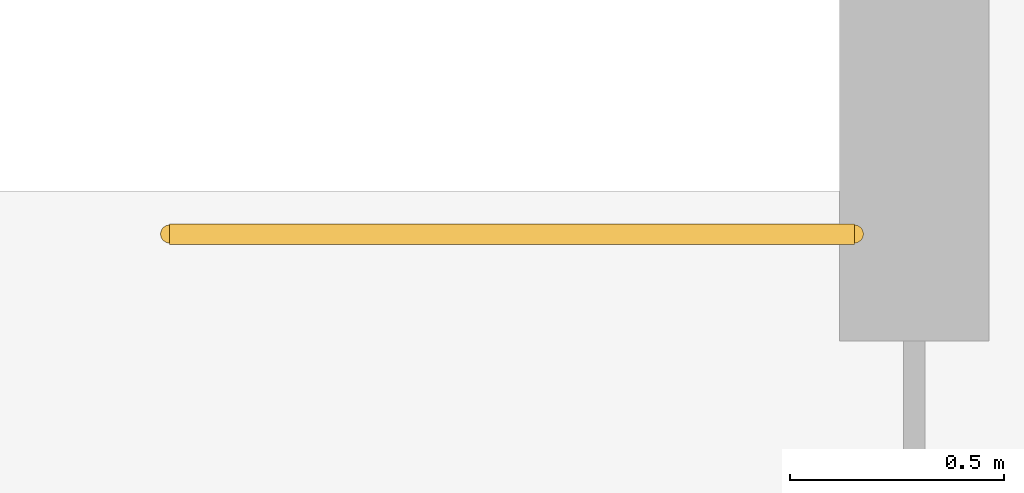
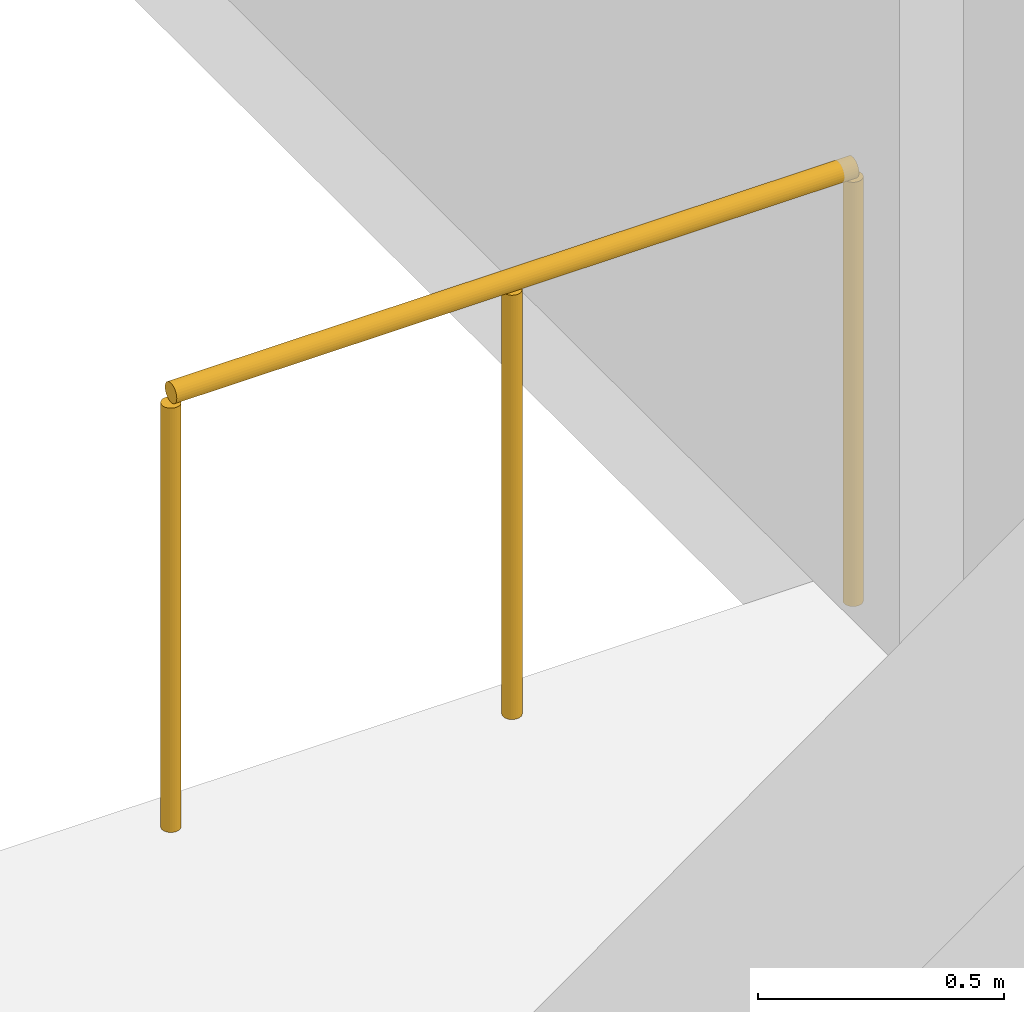
# One storey, part 35 of 35: 1 railing.
"""IFC4 building model written with IfcOpenShell, lengths in metres."""

from ifc_helpers import new_model, si_unit, direction, frame, origin, origin_2d, place, context, subcontext, project, spatial, circle, extrude, material, type_object, element, save


model = new_model("IFC4")

# Units and contexts
model_context = context("Model", 3, precision=1e-05, world=origin(), true_north=direction((0.0, 1.0)))
body_context = subcontext(model_context, "Body", "Model", "MODEL_VIEW")
ifc_project = project(units=[si_unit("LENGTHUNIT", "METRE"), si_unit("AREAUNIT", "SQUARE_METRE"), si_unit("VOLUMEUNIT", "CUBIC_METRE"), si_unit("PLANEANGLEUNIT", "RADIAN"), si_unit("MASSUNIT", "GRAM", prefix="KILO")], contexts=[model_context])

# Site, building, storey
site_placement = place(None, origin())
site = spatial("IfcSite", under=ifc_project, at=site_placement, CompositionType="ELEMENT")
building_placement = place(site_placement, origin())
building = spatial("IfcBuilding", under=site, at=building_placement, Name="Sundgate Opera House", CompositionType="ELEMENT")
storey_placement = place(building_placement, frame((0.0, 0.0, 21.60009765625)))
storey = spatial("IfcBuildingStorey", under=building, at=storey_placement, Name="L04", CompositionType="ELEMENT", Elevation=21.60009765625)

# Railing
ifc_material = material(Name="Painted steel S275 guardrail", Category="steel")
railing_type = type_object("IfcRailingType", Name="RL-STAIR-GUARD-1100", PredefinedType="GUARDRAIL", material=ifc_material)
railing_placement = place(storey_placement, frame((100.25, 89.25, 0.0)))
element("IfcRailing", 1, at=railing_placement, inside=storey, type_object=railing_type, Name="ST-05 Top Well Guardrail RL0206", PredefinedType="GUARDRAIL", context=body_context, shape_type="SweptSolid", body=[
    extrude(circle(Radius=0.02392578125, at=origin_2d()), frame((0.0, 0.0, 1.076171875), z_axis=(-1.0, 0.0, 0.0), x_axis=(0.0, -1.0, 0.0)), (0.0, 0.0, 1.0), 1.60009765625),
    extrude(circle(Radius=0.02099609375, at=origin_2d()), origin(), (0.0, 0.0, 1.0), 1.052001953125),
    extrude(circle(Radius=0.02099609375, at=origin_2d()), frame((-0.800048828125, 0.0, 0.0)), (0.0, 0.0, 1.0), 1.052001953125),
    extrude(circle(Radius=0.02099609375, at=origin_2d()), frame((-1.60009765625, 0.0, 0.0)), (0.0, 0.0, 1.0), 1.052001953125),
])

save(model, "model.ifc")
